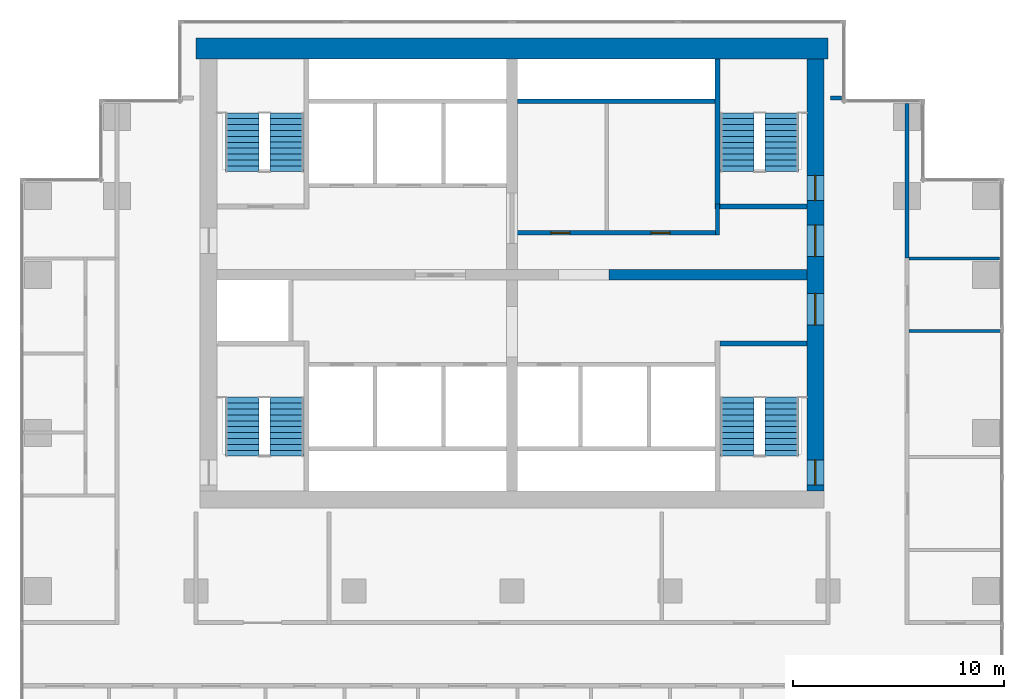
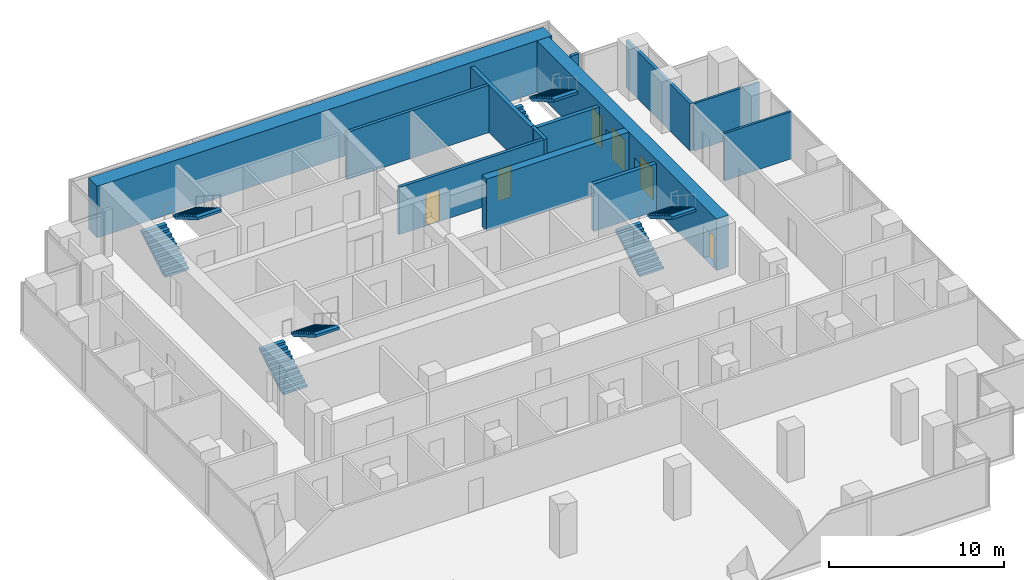
# One storey, part 9 of 10: 13 walls, 8 stair flights, 6 doors, 6 openings, 4 elements without a shape of their own.
"""IFC4 building model written with IfcOpenShell, lengths in metres."""

from ifc_helpers import new_model, si_unit, direction, frame, frame_2d, origin, place, context, subcontext, project, spatial, polyline, rectangle, outline, extrude, material, layer, layer_set, type_object, element, fill, aggregate, save


model = new_model("IFC4")

# Units and contexts
model_context = context("Model", 3, precision=1e-05, world=origin(), true_north=direction((0.0, 1.0)))
body_context = subcontext(model_context, "Body", "Model", "MODEL_VIEW")
ifc_project = project(units=[si_unit("LENGTHUNIT", "METRE"), si_unit("AREAUNIT", "SQUARE_METRE"), si_unit("VOLUMEUNIT", "CUBIC_METRE"), si_unit("PLANEANGLEUNIT", "RADIAN"), si_unit("MASSUNIT", "GRAM", prefix="KILO")], contexts=[model_context])

# Site, building, storey
site_placement = place(None, origin())
site = spatial("IfcSite", under=ifc_project, at=site_placement, CompositionType="ELEMENT")
building_placement = place(site_placement, origin())
building = spatial("IfcBuilding", under=site, at=building_placement, Name="Pilkhan Gate Tower", CompositionType="ELEMENT")
storey_placement = place(building_placement, frame((0.0, 0.0, 107.199951171875)))
storey = spatial("IfcBuildingStorey", under=building, at=storey_placement, Name="L26", CompositionType="ELEMENT", Elevation=107.199951171875)

# Wall
ifc_material_1 = material(Name="Concrete C60/75", Category="concrete")
ifc_layer_1 = layer(ifc_material_1, 1.0)
ifc_layer_set_1 = layer_set([ifc_layer_1], Name="Core wall CW1000 C60/75")
wall_type_1 = type_object("IfcWallType", Name="Core wall CW1000 C60/75", PredefinedType="SHEAR", material=ifc_layer_set_1)
wall_1_placement = place(storey_placement, frame((90.0, 93.25, 0.0), z_axis=(0.0, 0.0, 1.0), x_axis=(-1.0, 0.0, 0.0)))
element("IfcWall", 1, at=wall_1_placement, inside=storey, type_object=wall_type_1, Name="Core wall N L26", PredefinedType="SHEAR", context=body_context, shape_type="SweptSolid", body=[
    extrude(rectangle(XDim=30.0, YDim=1.0, at=frame_2d((15.0, 0.0))), origin(), (0.0, 0.0, 1.0), 3.60009765625),
])

# Wall, openings, doors
ifc_layer_2 = layer(ifc_material_1, 0.800048828125)
ifc_layer_set_2 = layer_set([ifc_layer_2], Name="Core wall CW800 C60/75")
wall_type_2 = type_object("IfcWallType", Name="Core wall CW800 C60/75", PredefinedType="SHEAR", material=ifc_layer_set_2)
wall_2_placement = place(storey_placement, frame((89.39990234375, 72.25, 0.0), z_axis=(0.0, 0.0, 1.0), x_axis=(0.0, 1.0, 0.0)))
wall_2 = element("IfcWall", 2, at=wall_2_placement, inside=storey, type_object=wall_type_2, Name="Core wall E L26", PredefinedType="SHEAR", context=body_context, shape_type="SweptSolid", body=[
    extrude(rectangle(XDim=20.5, YDim=0.800048828125, at=frame_2d((10.25, 0.0))), origin(), (0.0, 0.0, 1.0), 3.60009765625),
])
opening_1_placement = place(wall_2_placement, frame((0.27490234375, 0.0, 0.0)))
opening_1 = element("IfcOpeningElement", 3, at=opening_1_placement, cuts=wall_2, Name="Opening L26-03", PredefinedType="OPENING", context=body_context, shape_type="SweptSolid", body=[
    extrude(rectangle(XDim=1.199951171875, YDim=2.199951171875, at=frame_2d((0.60009765625, 1.10009765625))), frame((0.0, 0.409912109375, 0.0), z_axis=(0.0, -1.0, 0.0), x_axis=(1.0, 0.0, 0.0)), (0.0, 0.0, 1.0), 0.820068359375),
])
opening_2_placement = place(wall_2_placement, frame((13.77490234375, 0.0, 0.0)))
opening_2 = element("IfcOpeningElement", 4, at=opening_2_placement, cuts=wall_2, Name="Opening L26-05", PredefinedType="OPENING", context=body_context, shape_type="SweptSolid", body=[
    extrude(rectangle(XDim=1.199951171875, YDim=2.199951171875, at=frame_2d((0.60009765625, 1.10009765625))), frame((0.0, 0.409912109375, 0.0), z_axis=(0.0, -1.0, 0.0), x_axis=(1.0, 0.0, 0.0)), (0.0, 0.0, 1.0), 0.820068359375),
])
opening_3_placement = place(wall_2_placement, frame((7.875, 0.0, 0.0)))
opening_3 = element("IfcOpeningElement", 5, at=opening_3_placement, cuts=wall_2, Name="Opening L26-11", PredefinedType="OPENING", context=body_context, shape_type="SweptSolid", body=[
    extrude(rectangle(XDim=1.5, YDim=2.199951171875, at=frame_2d((0.75, 1.10009765625))), frame((0.0, 0.409912109375, 0.0), z_axis=(0.0, -1.0, 0.0), x_axis=(1.0, 0.0, 0.0)), (0.0, 0.0, 1.0), 0.820068359375),
])
opening_4_placement = place(wall_2_placement, frame((11.125, 0.0, 0.0)))
opening_4 = element("IfcOpeningElement", 6, at=opening_4_placement, cuts=wall_2, Name="Opening L26-13", PredefinedType="OPENING", context=body_context, shape_type="SweptSolid", body=[
    extrude(rectangle(XDim=1.5, YDim=2.199951171875, at=frame_2d((0.75, 1.10009765625))), frame((0.0, 0.409912109375, 0.0), z_axis=(0.0, -1.0, 0.0), x_axis=(1.0, 0.0, 0.0)), (0.0, 0.0, 1.0), 0.820068359375),
])
ifc_material_2 = material(Name="Steel framed glazed door, 60 minute fire resisting", Category="steel")
door_type_1 = type_object("IfcDoorType", Name="Lobby door D09 1500x2200", OperationType="DOUBLE_DOOR_SINGLE_SWING", PredefinedType="DOOR", material=ifc_material_2)
door_1_placement = place(opening_3_placement, origin())
door_1 = element("IfcDoor", 7, at=door_1_placement, inside=storey, type_object=door_type_1, Name="Core door", OperationType="DOUBLE_DOOR_SINGLE_SWING", OverallHeight=2.199951171875, OverallWidth=1.5, PredefinedType="DOOR", context=body_context, shape_type="SweptSolid", body=[
    extrude(rectangle(XDim=1.5, YDim=2.199951171875, at=frame_2d((0.75, 1.10009765625))), frame((0.0, 0.02490234375, 0.0), z_axis=(0.0, -1.0, 0.0), x_axis=(1.0, 0.0, 0.0)), (0.0, 0.0, 1.0), 0.050048828125),
])
fill(opening_3, door_1)
door_2_placement = place(opening_4_placement, origin())
door_2 = element("IfcDoor", 8, at=door_2_placement, inside=storey, type_object=door_type_1, Name="Core door", OperationType="DOUBLE_DOOR_SINGLE_SWING", OverallHeight=2.199951171875, OverallWidth=1.5, PredefinedType="DOOR", context=body_context, shape_type="SweptSolid", body=[
    extrude(rectangle(XDim=1.5, YDim=2.199951171875, at=frame_2d((0.75, 1.10009765625))), frame((0.0, 0.02490234375, 0.0), z_axis=(0.0, -1.0, 0.0), x_axis=(1.0, 0.0, 0.0)), (0.0, 0.0, 1.0), 0.050048828125),
])
fill(opening_4, door_2)
ifc_material_3 = material(Name="Steel door, 120 minute fire resisting, panic bar", Category="steel")
door_type_2 = type_object("IfcDoorType", Name="Stair door D11 1200x2200", OperationType="SINGLE_SWING_LEFT", PredefinedType="DOOR", material=ifc_material_3)
door_3_placement = place(opening_1_placement, origin())
door_3 = element("IfcDoor", 9, at=door_3_placement, inside=storey, type_object=door_type_2, Name="Stair ST1 door", OperationType="SINGLE_SWING_LEFT", OverallHeight=2.199951171875, OverallWidth=1.199951171875, PredefinedType="DOOR", context=body_context, shape_type="SweptSolid", body=[
    extrude(rectangle(XDim=1.199951171875, YDim=2.199951171875, at=frame_2d((0.60009765625, 1.10009765625))), frame((0.0, 0.02490234375, 0.0), z_axis=(0.0, -1.0, 0.0), x_axis=(1.0, 0.0, 0.0)), (0.0, 0.0, 1.0), 0.050048828125),
])
fill(opening_1, door_3)
door_4_placement = place(opening_2_placement, origin())
door_4 = element("IfcDoor", 10, at=door_4_placement, inside=storey, type_object=door_type_2, Name="Stair ST4 door", OperationType="SINGLE_SWING_LEFT", OverallHeight=2.199951171875, OverallWidth=1.199951171875, PredefinedType="DOOR", context=body_context, shape_type="SweptSolid", body=[
    extrude(rectangle(XDim=1.199951171875, YDim=2.199951171875, at=frame_2d((0.60009765625, 1.10009765625))), frame((0.0, 0.02490234375, 0.0), z_axis=(0.0, -1.0, 0.0), x_axis=(1.0, 0.0, 0.0)), (0.0, 0.0, 1.0), 0.050048828125),
])
fill(opening_2, door_4)

# Walls
ifc_material_4 = material(Name="Dense blockwork", Category="masonry")
ifc_layer_3 = layer(ifc_material_4, 0.199951171875)
ifc_layer_set_3 = layer_set([ifc_layer_3], Name="Corridor wall FW200")
wall_type_3 = type_object("IfcWallType", Name="Corridor wall FW200", PredefinedType="PARTITIONING", material=ifc_layer_set_3)
wall_3_placement = place(storey_placement, frame((90.1201171875, 90.89990234375, 0.0), z_axis=(0.0, 0.0, 1.0), x_axis=(1.0, 0.0, 0.0)))
element("IfcWall", 11, at=wall_3_placement, inside=storey, type_object=wall_type_3, Name="Partition L26", PredefinedType="PARTITIONING", context=body_context, shape_type="SweptSolid", body=[
    extrude(rectangle(XDim=0.52490234375, YDim=0.199951171875, at=frame_2d((0.262451171875, 0.0))), origin(), (0.0, 0.0, 1.0), 3.300048828125),
])
wall_4_placement = place(storey_placement, frame((93.75, 83.31005859375, 0.0), z_axis=(0.0, 0.0, 1.0), x_axis=(0.0, 1.0, 0.0)))
element("IfcWall", 12, at=wall_4_placement, inside=storey, type_object=wall_type_3, Name="Partition L26", PredefinedType="PARTITIONING", context=body_context, shape_type="SweptSolid", body=[
    extrude(rectangle(XDim=7.3349609375, YDim=0.199951171875, at=frame_2d((3.66748046875, 0.0))), origin(), (0.0, 0.0, 1.0), 3.300048828125),
])

# Wall, openings, doors
ifc_layer_4 = layer(ifc_material_4, 0.199951171875)
ifc_layer_set_4 = layer_set([ifc_layer_4], Name="Lobby wall LW200")
wall_type_4 = type_object("IfcWallType", Name="Lobby wall LW200", PredefinedType="PARTITIONING", material=ifc_layer_set_4)
wall_5_placement = place(storey_placement, frame((75.10009765625, 84.5, 0.0), z_axis=(0.0, 0.0, 1.0), x_axis=(1.0, 0.0, 0.0)))
wall_5 = element("IfcWall", 13, at=wall_5_placement, inside=storey, type_object=wall_type_4, Name="Partition L26", PredefinedType="PARTITIONING", context=body_context, shape_type="SweptSolid", body=[
    extrude(rectangle(XDim=9.5498046875, YDim=0.199951171875, at=frame_2d((4.77490234375, 0.0))), origin(), (0.0, 0.0, 1.0), 3.300048828125),
])
opening_5_placement = place(wall_5_placement, frame((1.75, 0.0, 0.0)))
opening_5 = element("IfcOpeningElement", 14, at=opening_5_placement, cuts=wall_5, Name="Opening L26-14", PredefinedType="OPENING", context=body_context, shape_type="SweptSolid", body=[
    extrude(rectangle(XDim=0.89990234375, YDim=2.199951171875, at=frame_2d((0.449951171875, 1.10009765625))), frame((0.0, 0.10986328125, 0.0), z_axis=(0.0, -1.0, 0.0), x_axis=(1.0, 0.0, 0.0)), (0.0, 0.0, 1.0), 0.219970703125),
])
opening_6_placement = place(wall_5_placement, frame((6.5, 0.0, 0.0)))
opening_6 = element("IfcOpeningElement", 15, at=opening_6_placement, cuts=wall_5, Name="Opening L26-15", PredefinedType="OPENING", context=body_context, shape_type="SweptSolid", body=[
    extrude(rectangle(XDim=0.89990234375, YDim=2.199951171875, at=frame_2d((0.449951171875, 1.10009765625))), frame((0.0, 0.10986328125, 0.0), z_axis=(0.0, -1.0, 0.0), x_axis=(1.0, 0.0, 0.0)), (0.0, 0.0, 1.0), 0.219970703125),
])
ifc_material_5 = material(Name="Timber flush door, 60 minute fire resisting, self-closing", Category="wood")
door_type_3 = type_object("IfcDoorType", Name="Store door D05 900x2200", OperationType="SINGLE_SWING_LEFT", PredefinedType="DOOR", material=ifc_material_5)
door_5_placement = place(opening_5_placement, origin())
door_5 = element("IfcDoor", 16, at=door_5_placement, inside=storey, type_object=door_type_3, Name="Store door", OperationType="SINGLE_SWING_LEFT", OverallHeight=2.199951171875, OverallWidth=0.89990234375, PredefinedType="DOOR", context=body_context, shape_type="SweptSolid", body=[
    extrude(rectangle(XDim=0.89990234375, YDim=2.199951171875, at=frame_2d((0.449951171875, 1.10009765625))), frame((0.0, 0.02490234375, 0.0), z_axis=(0.0, -1.0, 0.0), x_axis=(1.0, 0.0, 0.0)), (0.0, 0.0, 1.0), 0.050048828125),
])
fill(opening_5, door_5)
door_6_placement = place(opening_6_placement, origin())
door_6 = element("IfcDoor", 17, at=door_6_placement, inside=storey, type_object=door_type_3, Name="Store door", OperationType="SINGLE_SWING_LEFT", OverallHeight=2.199951171875, OverallWidth=0.89990234375, PredefinedType="DOOR", context=body_context, shape_type="SweptSolid", body=[
    extrude(rectangle(XDim=0.89990234375, YDim=2.199951171875, at=frame_2d((0.449951171875, 1.10009765625))), frame((0.0, 0.02490234375, 0.0), z_axis=(0.0, -1.0, 0.0), x_axis=(1.0, 0.0, 0.0)), (0.0, 0.0, 1.0), 0.050048828125),
])
fill(opening_6, door_6)

# Walls
wall_6_placement = place(storey_placement, frame((75.260009765625, 90.75, 0.0), z_axis=(0.0, 0.0, 1.0), x_axis=(1.0, 0.0, 0.0)))
element("IfcWall", 18, at=wall_6_placement, inside=storey, type_object=wall_type_4, Name="Partition L26", PredefinedType="PARTITIONING", context=body_context, shape_type="SweptSolid", body=[
    extrude(rectangle(XDim=9.364990234375, YDim=0.199951171875, at=frame_2d((4.6826171875, 0.0))), origin(), (0.0, 0.0, 1.0), 3.300048828125),
])
wall_7_placement = place(storey_placement, frame((84.75, 84.39990234375, 0.0), z_axis=(0.0, 0.0, 1.0), x_axis=(0.0, 1.0, 0.0)))
element("IfcWall", 19, at=wall_7_placement, inside=storey, type_object=wall_type_4, Name="Partition L26", PredefinedType="PARTITIONING", context=body_context, shape_type="SweptSolid", body=[
    extrude(rectangle(XDim=1.47509765625, YDim=0.199951171875, at=frame_2d((0.737548828125, 0.0))), origin(), (0.0, 0.0, 1.0), 3.300048828125),
])
ifc_material_6 = material(Name="Blockwork partition, plastered both sides", Category="masonry")
ifc_layer_5 = layer(ifc_material_6, 0.14990234375)
ifc_layer_set_5 = layer_set([ifc_layer_5], Name="Partition PW150")
wall_type_5 = type_object("IfcWallType", Name="Partition PW150", PredefinedType="PARTITIONING", material=ifc_layer_set_5)
wall_8_placement = place(storey_placement, frame((93.85009765625, 79.8330078125, 0.0), z_axis=(0.0, 0.0, 1.0), x_axis=(1.0, 0.0, 0.0)))
element("IfcWall", 20, at=wall_8_placement, inside=storey, type_object=wall_type_5, Name="Partition L26", PredefinedType="PARTITIONING", context=body_context, shape_type="SweptSolid", body=[
    extrude(rectangle(XDim=4.414794921875, YDim=0.14990234375, at=frame_2d((2.20751953125, 0.0))), origin(), (0.0, 0.0, 1.0), 3.300048828125),
])
wall_9_placement = place(storey_placement, frame((93.85009765625, 83.280029296875, 0.0), z_axis=(0.0, 0.0, 1.0), x_axis=(1.0, 0.0, 0.0)))
element("IfcWall", 21, at=wall_9_placement, inside=storey, type_object=wall_type_5, Name="Partition L26", PredefinedType="PARTITIONING", context=body_context, shape_type="SweptSolid", body=[
    extrude(rectangle(XDim=4.294921875, YDim=0.14990234375, at=frame_2d((2.1474609375, 0.0))), origin(), (0.0, 0.0, 1.0), 3.300048828125),
])
ifc_layer_6 = layer(ifc_material_1, 0.5)
ifc_layer_set_6 = layer_set([ifc_layer_6], Name="Spine wall SW500 C60/75")
wall_type_6 = type_object("IfcWallType", Name="Spine wall SW500 C60/75", PredefinedType="SHEAR", material=ifc_layer_set_6)
wall_10_placement = place(storey_placement, frame((79.60009765625, 82.5, 0.0), z_axis=(0.0, 0.0, 1.0), x_axis=(1.0, 0.0, 0.0)))
element("IfcWall", 22, at=wall_10_placement, inside=storey, type_object=wall_type_6, Name="Spine wall SP-EW3 L26", PredefinedType="SHEAR", context=body_context, shape_type="SweptSolid", body=[
    extrude(rectangle(XDim=9.39990234375, YDim=0.5, at=frame_2d((4.699951171875, 0.0))), origin(), (0.0, 0.0, 1.0), 3.60009765625),
])
ifc_material_7 = material(Name="Reinforced blockwork, 120 minute fire resisting", Category="masonry")
ifc_layer_7 = layer(ifc_material_7, 0.25)
ifc_layer_set_7 = layer_set([ifc_layer_7], Name="Stair enclosure wall SE250")
wall_type_7 = type_object("IfcWallType", Name="Stair enclosure wall SE250", PredefinedType="PARTITIONING", material=ifc_layer_set_7)
for number, where, z_axis, x_axis, name in (
    (23, (84.875, 79.25, 0.0), (0.0, 0.0, 1.0), (1.0, 0.0, 0.0), "Partition L26"),
    (24, (84.875, 85.75, 0.0), (0.0, 0.0, 1.0), (1.0, 0.0, 0.0), "Partition L26"),
):
    element("IfcWall", number, at=place(storey_placement, frame(where, z_axis=z_axis, x_axis=x_axis)), inside=storey, type_object=wall_type_7, Name=name, PredefinedType="PARTITIONING", context=body_context, shape_type="SweptSolid", body=[
        extrude(rectangle(XDim=4.125, YDim=0.25, at=frame_2d((2.0625, 0.0))), origin(), (0.0, 0.0, 1.0), 3.300048828125),
    ])
wall_11_placement = place(storey_placement, frame((84.75, 85.625, 0.0), z_axis=(0.0, 0.0, 1.0), x_axis=(0.0, 1.0, 0.0)))
element("IfcWall", 25, at=wall_11_placement, inside=storey, type_object=wall_type_7, Name="Partition L26", PredefinedType="PARTITIONING", context=body_context, shape_type="SweptSolid", body=[
    extrude(rectangle(XDim=7.114990234375, YDim=0.25, at=frame_2d((3.5576171875, 0.0))), origin(), (0.0, 0.0, 1.0), 3.300048828125),
])

# Stair, stair flights
ifc_material_8 = material(Name="Concrete C40/50 precast", Category="concrete")
stair_type_1 = type_object("IfcStairType", Name="Stair ST1 164x280", PredefinedType="HALF_TURN_STAIR", material=ifc_material_8)
stair_1_placement = place(storey_placement, origin())
stair_1 = element("IfcStair", 26, at=stair_1_placement, inside=storey, type_object=stair_type_1, Name="Stair ST1 L26", PredefinedType="HALF_TURN_STAIR")
stair_flight_type_1 = type_object("IfcStairFlightType", Name="Stair flight ST1 164x280x11", PredefinedType="STRAIGHT", material=ifc_material_8)
stair_flight_1_placement = place(storey_placement, frame((85.68994140625, 73.89990234375, 0.0), z_axis=(0.0, 0.0, 1.0), x_axis=(0.0, 1.0, 0.0)))
stair_flight_1 = element("IfcStairFlight", 27, at=stair_flight_1_placement, type_object=stair_flight_type_1, Name="ST1 flight 1", NumberOfRisers=11, NumberOfTreads=10, PredefinedType="STRAIGHT", RiserHeight=0.163636364, TreadLength=0.28, context=body_context, shape_type="SweptSolid", body=[
    extrude(outline(polyline([(0.0, 0.0), (0.0, 0.16357421875), (0.280029296875, 0.16357421875), (0.280029296875, 0.327392578125), (0.56005859375, 0.327392578125), (0.56005859375, 0.490966796875), (0.840087890625, 0.490966796875), (0.840087890625, 0.654541015625), (1.1201171875, 0.654541015625), (1.1201171875, 0.818115234375), (1.39990234375, 0.818115234375), (1.39990234375, 0.98193359375), (1.679931640625, 0.98193359375), (1.679931640625, 1.1455078125), (1.9599609375, 1.1455078125), (1.9599609375, 1.30908203125), (2.239990234375, 1.30908203125), (2.239990234375, 1.47265625), (2.52001953125, 1.47265625), (2.52001953125, 1.636474609375), (2.800048828125, 1.636474609375), (2.800048828125, 1.800048828125), (2.800048828125, 1.462646484375), (0.297119140625, 0.0), (0.0, 0.0)])), frame((0.0, 0.7900390625, 0.0), z_axis=(0.0, -1.0, 0.0), x_axis=(1.0, 0.0, 0.0)), (0.0, 0.0, 1.0), 1.580078125),
])
stair_flight_2_placement = place(storey_placement, frame((87.81005859375, 76.699951171875, 1.800048828125), z_axis=(0.0, 0.0, 1.0), x_axis=(0.0, -1.0, 0.0)))
stair_flight_2 = element("IfcStairFlight", 28, at=stair_flight_2_placement, type_object=stair_flight_type_1, Name="ST1 flight 2", NumberOfRisers=11, NumberOfTreads=10, PredefinedType="STRAIGHT", RiserHeight=0.163636364, TreadLength=0.28, context=body_context, shape_type="SweptSolid", body=[
    extrude(outline(polyline([(0.0, 0.0), (0.0, 0.16357421875), (0.280029296875, 0.16357421875), (0.280029296875, 0.327392578125), (0.56005859375, 0.327392578125), (0.56005859375, 0.490966796875), (0.840087890625, 0.490966796875), (0.840087890625, 0.654541015625), (1.1201171875, 0.654541015625), (1.1201171875, 0.818115234375), (1.39990234375, 0.818115234375), (1.39990234375, 0.98193359375), (1.679931640625, 0.98193359375), (1.679931640625, 1.1455078125), (1.9599609375, 1.1455078125), (1.9599609375, 1.30908203125), (2.239990234375, 1.30908203125), (2.239990234375, 1.47265625), (2.52001953125, 1.47265625), (2.52001953125, 1.636474609375), (2.800048828125, 1.636474609375), (2.800048828125, 1.800048828125), (2.800048828125, 1.462646484375), (0.297119140625, 0.0), (0.0, 0.0)])), frame((0.0, 0.7900390625, 0.0), z_axis=(0.0, -1.0, 0.0), x_axis=(1.0, 0.0, 0.0)), (0.0, 0.0, 1.0), 1.580078125),
])
aggregate(stair_1, [stair_flight_1, stair_flight_2])

stair_type_2 = type_object("IfcStairType", Name="Stair ST2 164x280", PredefinedType="HALF_TURN_STAIR", material=ifc_material_8)
stair_2_placement = place(storey_placement, origin())
stair_2 = element("IfcStair", 29, at=stair_2_placement, inside=storey, type_object=stair_type_2, Name="Stair ST2 L26", PredefinedType="HALF_TURN_STAIR")
stair_flight_type_2 = type_object("IfcStairFlightType", Name="Stair flight ST2 164x280x11", PredefinedType="STRAIGHT", material=ifc_material_8)
stair_flight_3_placement = place(storey_placement, frame((62.18994140625, 73.89990234375, 0.0), z_axis=(0.0, 0.0, 1.0), x_axis=(0.0, 1.0, 0.0)))
stair_flight_3 = element("IfcStairFlight", 30, at=stair_flight_3_placement, type_object=stair_flight_type_2, Name="ST2 flight 1", NumberOfRisers=11, NumberOfTreads=10, PredefinedType="STRAIGHT", RiserHeight=0.163636364, TreadLength=0.28, context=body_context, shape_type="SweptSolid", body=[
    extrude(outline(polyline([(0.0, 0.0), (0.0, 0.16357421875), (0.280029296875, 0.16357421875), (0.280029296875, 0.327392578125), (0.56005859375, 0.327392578125), (0.56005859375, 0.490966796875), (0.840087890625, 0.490966796875), (0.840087890625, 0.654541015625), (1.1201171875, 0.654541015625), (1.1201171875, 0.818115234375), (1.39990234375, 0.818115234375), (1.39990234375, 0.98193359375), (1.679931640625, 0.98193359375), (1.679931640625, 1.1455078125), (1.9599609375, 1.1455078125), (1.9599609375, 1.30908203125), (2.239990234375, 1.30908203125), (2.239990234375, 1.47265625), (2.52001953125, 1.47265625), (2.52001953125, 1.636474609375), (2.800048828125, 1.636474609375), (2.800048828125, 1.800048828125), (2.800048828125, 1.462646484375), (0.297119140625, 0.0), (0.0, 0.0)])), frame((0.0, 0.7900390625, 0.0), z_axis=(0.0, -1.0, 0.0), x_axis=(1.0, 0.0, 0.0)), (0.0, 0.0, 1.0), 1.580078125),
])
stair_flight_4_placement = place(storey_placement, frame((64.31005859375, 76.699951171875, 1.800048828125), z_axis=(0.0, 0.0, 1.0), x_axis=(0.0, -1.0, 0.0)))
stair_flight_4 = element("IfcStairFlight", 31, at=stair_flight_4_placement, type_object=stair_flight_type_2, Name="ST2 flight 2", NumberOfRisers=11, NumberOfTreads=10, PredefinedType="STRAIGHT", RiserHeight=0.163636364, TreadLength=0.28, context=body_context, shape_type="SweptSolid", body=[
    extrude(outline(polyline([(0.0, 0.0), (0.0, 0.16357421875), (0.280029296875, 0.16357421875), (0.280029296875, 0.327392578125), (0.56005859375, 0.327392578125), (0.56005859375, 0.490966796875), (0.840087890625, 0.490966796875), (0.840087890625, 0.654541015625), (1.1201171875, 0.654541015625), (1.1201171875, 0.818115234375), (1.39990234375, 0.818115234375), (1.39990234375, 0.98193359375), (1.679931640625, 0.98193359375), (1.679931640625, 1.1455078125), (1.9599609375, 1.1455078125), (1.9599609375, 1.30908203125), (2.239990234375, 1.30908203125), (2.239990234375, 1.47265625), (2.52001953125, 1.47265625), (2.52001953125, 1.636474609375), (2.800048828125, 1.636474609375), (2.800048828125, 1.800048828125), (2.800048828125, 1.462646484375), (0.297119140625, 0.0), (0.0, 0.0)])), frame((0.0, 0.7900390625, 0.0), z_axis=(0.0, -1.0, 0.0), x_axis=(1.0, 0.0, 0.0)), (0.0, 0.0, 1.0), 1.580078125),
])
aggregate(stair_2, [stair_flight_3, stair_flight_4])

stair_type_3 = type_object("IfcStairType", Name="Stair ST3 164x280", PredefinedType="HALF_TURN_STAIR", material=ifc_material_8)
stair_3_placement = place(storey_placement, origin())
stair_3 = element("IfcStair", 32, at=stair_3_placement, inside=storey, type_object=stair_type_3, Name="Stair ST3 L26", PredefinedType="HALF_TURN_STAIR")
stair_flight_type_3 = type_object("IfcStairFlightType", Name="Stair flight ST3 164x280x11", PredefinedType="STRAIGHT", material=ifc_material_8)
stair_flight_5_placement = place(storey_placement, frame((62.18994140625, 87.39990234375, 0.0), z_axis=(0.0, 0.0, 1.0), x_axis=(0.0, 1.0, 0.0)))
stair_flight_5 = element("IfcStairFlight", 33, at=stair_flight_5_placement, type_object=stair_flight_type_3, Name="ST3 flight 1", NumberOfRisers=11, NumberOfTreads=10, PredefinedType="STRAIGHT", RiserHeight=0.163636364, TreadLength=0.28, context=body_context, shape_type="SweptSolid", body=[
    extrude(outline(polyline([(0.0, 0.0), (0.0, 0.16357421875), (0.280029296875, 0.16357421875), (0.280029296875, 0.327392578125), (0.56005859375, 0.327392578125), (0.56005859375, 0.490966796875), (0.840087890625, 0.490966796875), (0.840087890625, 0.654541015625), (1.1201171875, 0.654541015625), (1.1201171875, 0.818115234375), (1.39990234375, 0.818115234375), (1.39990234375, 0.98193359375), (1.679931640625, 0.98193359375), (1.679931640625, 1.1455078125), (1.9599609375, 1.1455078125), (1.9599609375, 1.30908203125), (2.239990234375, 1.30908203125), (2.239990234375, 1.47265625), (2.52001953125, 1.47265625), (2.52001953125, 1.636474609375), (2.800048828125, 1.636474609375), (2.800048828125, 1.800048828125), (2.800048828125, 1.462646484375), (0.297119140625, 0.0), (0.0, 0.0)])), frame((0.0, 0.7900390625, 0.0), z_axis=(0.0, -1.0, 0.0), x_axis=(1.0, 0.0, 0.0)), (0.0, 0.0, 1.0), 1.580078125),
])
stair_flight_6_placement = place(storey_placement, frame((64.31005859375, 90.199951171875, 1.800048828125), z_axis=(0.0, 0.0, 1.0), x_axis=(0.0, -1.0, 0.0)))
stair_flight_6 = element("IfcStairFlight", 34, at=stair_flight_6_placement, type_object=stair_flight_type_3, Name="ST3 flight 2", NumberOfRisers=11, NumberOfTreads=10, PredefinedType="STRAIGHT", RiserHeight=0.163636364, TreadLength=0.28, context=body_context, shape_type="SweptSolid", body=[
    extrude(outline(polyline([(0.0, 0.0), (0.0, 0.16357421875), (0.280029296875, 0.16357421875), (0.280029296875, 0.327392578125), (0.56005859375, 0.327392578125), (0.56005859375, 0.490966796875), (0.840087890625, 0.490966796875), (0.840087890625, 0.654541015625), (1.1201171875, 0.654541015625), (1.1201171875, 0.818115234375), (1.39990234375, 0.818115234375), (1.39990234375, 0.98193359375), (1.679931640625, 0.98193359375), (1.679931640625, 1.1455078125), (1.9599609375, 1.1455078125), (1.9599609375, 1.30908203125), (2.239990234375, 1.30908203125), (2.239990234375, 1.47265625), (2.52001953125, 1.47265625), (2.52001953125, 1.636474609375), (2.800048828125, 1.636474609375), (2.800048828125, 1.800048828125), (2.800048828125, 1.462646484375), (0.297119140625, 0.0), (0.0, 0.0)])), frame((0.0, 0.7900390625, 0.0), z_axis=(0.0, -1.0, 0.0), x_axis=(1.0, 0.0, 0.0)), (0.0, 0.0, 1.0), 1.580078125),
])
aggregate(stair_3, [stair_flight_5, stair_flight_6])

stair_type_4 = type_object("IfcStairType", Name="Stair ST4 164x280", PredefinedType="HALF_TURN_STAIR", material=ifc_material_8)
stair_4_placement = place(storey_placement, origin())
stair_4 = element("IfcStair", 35, at=stair_4_placement, inside=storey, type_object=stair_type_4, Name="Stair ST4 L26", PredefinedType="HALF_TURN_STAIR")
stair_flight_type_4 = type_object("IfcStairFlightType", Name="Stair flight ST4 164x280x11", PredefinedType="STRAIGHT", material=ifc_material_8)
stair_flight_7_placement = place(storey_placement, frame((85.68994140625, 87.39990234375, 0.0), z_axis=(0.0, 0.0, 1.0), x_axis=(0.0, 1.0, 0.0)))
stair_flight_7 = element("IfcStairFlight", 36, at=stair_flight_7_placement, type_object=stair_flight_type_4, Name="ST4 flight 1", NumberOfRisers=11, NumberOfTreads=10, PredefinedType="STRAIGHT", RiserHeight=0.163636364, TreadLength=0.28, context=body_context, shape_type="SweptSolid", body=[
    extrude(outline(polyline([(0.0, 0.0), (0.0, 0.16357421875), (0.280029296875, 0.16357421875), (0.280029296875, 0.327392578125), (0.56005859375, 0.327392578125), (0.56005859375, 0.490966796875), (0.840087890625, 0.490966796875), (0.840087890625, 0.654541015625), (1.1201171875, 0.654541015625), (1.1201171875, 0.818115234375), (1.39990234375, 0.818115234375), (1.39990234375, 0.98193359375), (1.679931640625, 0.98193359375), (1.679931640625, 1.1455078125), (1.9599609375, 1.1455078125), (1.9599609375, 1.30908203125), (2.239990234375, 1.30908203125), (2.239990234375, 1.47265625), (2.52001953125, 1.47265625), (2.52001953125, 1.636474609375), (2.800048828125, 1.636474609375), (2.800048828125, 1.800048828125), (2.800048828125, 1.462646484375), (0.297119140625, 0.0), (0.0, 0.0)])), frame((0.0, 0.7900390625, 0.0), z_axis=(0.0, -1.0, 0.0), x_axis=(1.0, 0.0, 0.0)), (0.0, 0.0, 1.0), 1.580078125),
])
stair_flight_8_placement = place(storey_placement, frame((87.81005859375, 90.199951171875, 1.800048828125), z_axis=(0.0, 0.0, 1.0), x_axis=(0.0, -1.0, 0.0)))
stair_flight_8 = element("IfcStairFlight", 37, at=stair_flight_8_placement, type_object=stair_flight_type_4, Name="ST4 flight 2", NumberOfRisers=11, NumberOfTreads=10, PredefinedType="STRAIGHT", RiserHeight=0.163636364, TreadLength=0.28, context=body_context, shape_type="SweptSolid", body=[
    extrude(outline(polyline([(0.0, 0.0), (0.0, 0.16357421875), (0.280029296875, 0.16357421875), (0.280029296875, 0.327392578125), (0.56005859375, 0.327392578125), (0.56005859375, 0.490966796875), (0.840087890625, 0.490966796875), (0.840087890625, 0.654541015625), (1.1201171875, 0.654541015625), (1.1201171875, 0.818115234375), (1.39990234375, 0.818115234375), (1.39990234375, 0.98193359375), (1.679931640625, 0.98193359375), (1.679931640625, 1.1455078125), (1.9599609375, 1.1455078125), (1.9599609375, 1.30908203125), (2.239990234375, 1.30908203125), (2.239990234375, 1.47265625), (2.52001953125, 1.47265625), (2.52001953125, 1.636474609375), (2.800048828125, 1.636474609375), (2.800048828125, 1.800048828125), (2.800048828125, 1.462646484375), (0.297119140625, 0.0), (0.0, 0.0)])), frame((0.0, 0.7900390625, 0.0), z_axis=(0.0, -1.0, 0.0), x_axis=(1.0, 0.0, 0.0)), (0.0, 0.0, 1.0), 1.580078125),
])
aggregate(stair_4, [stair_flight_7, stair_flight_8])

save(model, "model.ifc")
